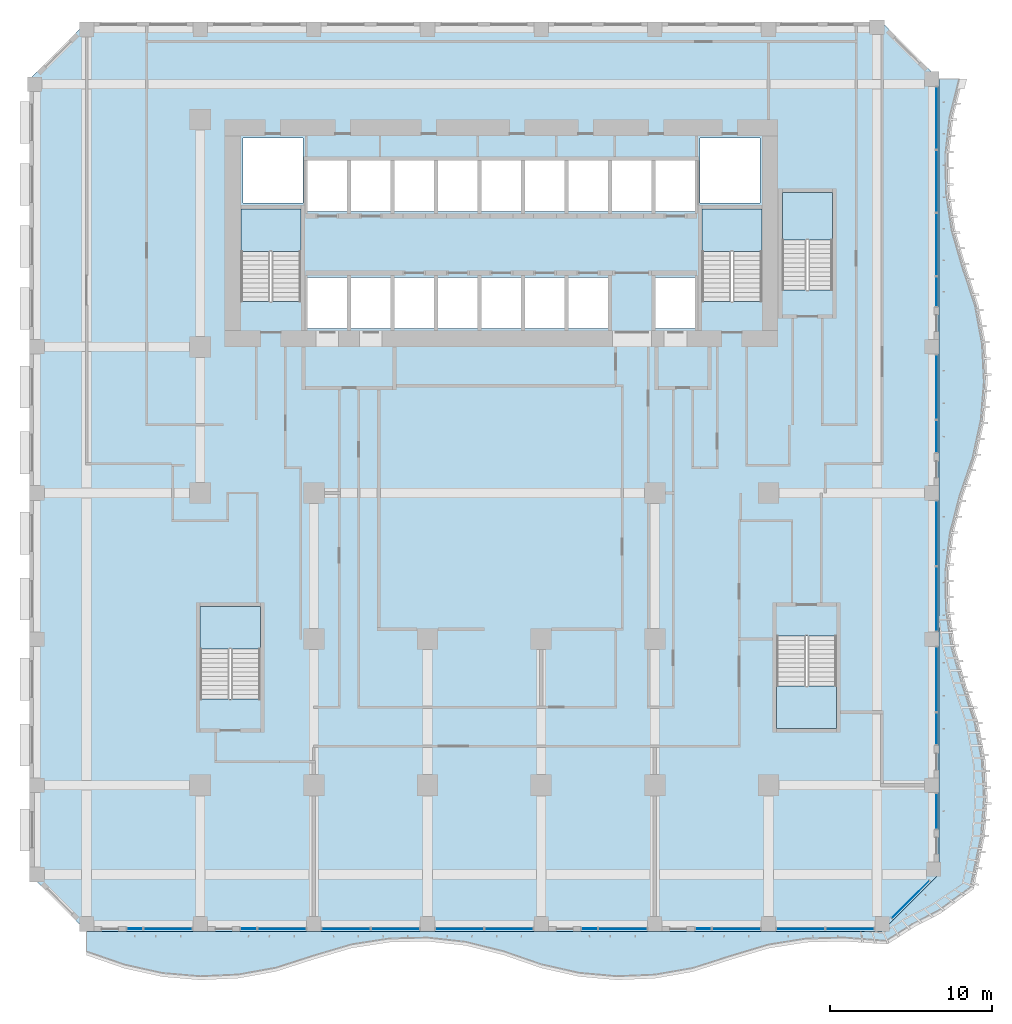
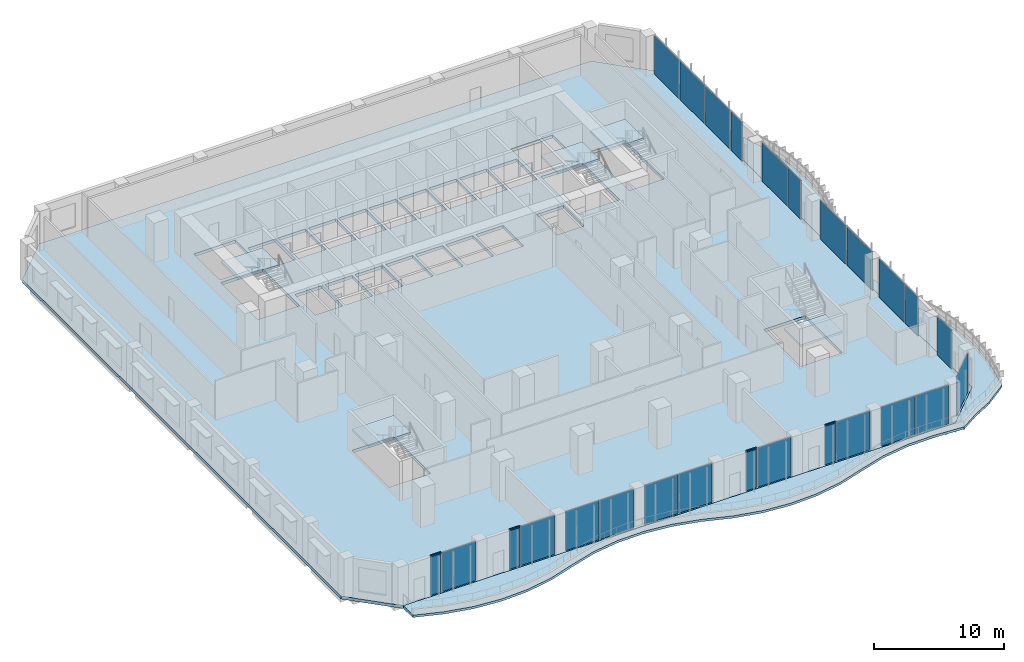
# One storey, part 9 of 27: 26 plates, 7 slabs, 4 members, 31 elements without a shape of their own.
"""IFC4 building model written with IfcOpenShell, lengths in metres."""

from ifc_helpers import new_model, si_unit, direction, frame, origin, origin_2d, place, context, subcontext, project, spatial, polyline, rectangle, outline, extrude, source, transform, mapped, material, layer, layer_set, material_profile, profile_set, type_object, element, aggregate, save


model = new_model("IFC4")

# Units and contexts
model_context = context("Model", 3, precision=1e-05, world=origin(), true_north=direction((0.0, 1.0)))
body_context = subcontext(model_context, "Body", "Model", "MODEL_VIEW")
ifc_project = project(units=[si_unit("LENGTHUNIT", "METRE"), si_unit("AREAUNIT", "SQUARE_METRE"), si_unit("VOLUMEUNIT", "CUBIC_METRE"), si_unit("PLANEANGLEUNIT", "RADIAN"), si_unit("MASSUNIT", "GRAM", prefix="KILO")], contexts=[model_context])

# Site, building, storey
site_placement = place(None, origin())
site = spatial("IfcSite", under=ifc_project, at=site_placement, CompositionType="ELEMENT")
building_placement = place(site_placement, origin())
building = spatial("IfcBuilding", under=site, at=building_placement, Name="Kilnfold Tower and Market Hall", CompositionType="ELEMENT")
storey_placement = place(building_placement, frame((0.0, 0.0, 47.0)))
storey = spatial("IfcBuildingStorey", under=building, at=storey_placement, Name="L10", CompositionType="ELEMENT", Elevation=47.0)

# Curtain wall, member
ifc_material_1 = material(Name="Aluminium and double glazing", Category="aluminium")
curtain_wall_type = type_object("IfcCurtainWallType", Name="CW OF1 VALLEY GLAZING", PredefinedType="NOTDEFINED", material=ifc_material_1)
curtain_wall_1_placement = place(storey_placement, origin())
curtain_wall_1 = element("IfcCurtainWall", 1, at=curtain_wall_1_placement, inside=storey, type_object=curtain_wall_type, Name="Curtain wall CW1 L10 S", PredefinedType="NOTDEFINED")
ifc_material_2 = material(Name="Aluminium", Category="aluminium")
ifc_material_profile = material_profile(ifc_material_2, rectangle(XDim=0.06005859375, YDim=0.139892578125, at=origin_2d()), Name="TRANSOM 60x140")
ifc_profile_set = profile_set([ifc_material_profile], Name="Aluminium")
member_type = type_object("IfcMemberType", Name="TRANSOM 60X140", PredefinedType="USERDEFINED", material=ifc_profile_set)
shared_shape_1 = source(origin(), body_context, "Body", "SweptSolid", [
    extrude(rectangle(XDim=0.06005859375, YDim=0.139892578125, at=origin_2d()), origin(), (0.0, 0.0, 1.0), 0.929931640625),
])
member_1_placement = place(storey_placement, frame((-21.989990234375, -27.85009765625, 3.68994140625), z_axis=(1.0, 0.0, 0.0), x_axis=(0.0, 1.0, 0.0)))
member_1 = element("IfcMember", 2, at=member_1_placement, type_object=member_type, Name="CW1 transom 1.2", ObjectType="TRANSOM", PredefinedType="USERDEFINED", context=body_context, shape_type="MappedRepresentation", body=[
    mapped(shared_shape_1, transform((0.0, 0.0, 0.0))),
])

curtain_wall_2_placement = place(storey_placement, origin())
curtain_wall_2 = element("IfcCurtainWall", 3, at=curtain_wall_2_placement, inside=storey, type_object=curtain_wall_type, Name="Curtain wall CW1 L10 S", PredefinedType="NOTDEFINED")
member_2_placement = place(storey_placement, frame((-14.989990234375, -27.85009765625, 3.68994140625), z_axis=(1.0, 0.0, 0.0), x_axis=(0.0, 1.0, 0.0)))
member_2 = element("IfcMember", 4, at=member_2_placement, type_object=member_type, Name="CW1 transom 1.2", ObjectType="TRANSOM", PredefinedType="USERDEFINED", context=body_context, shape_type="MappedRepresentation", body=[
    mapped(shared_shape_1, transform((0.0, 0.0, 0.0))),
])

curtain_wall_3_placement = place(storey_placement, origin())
curtain_wall_3 = element("IfcCurtainWall", 5, at=curtain_wall_3_placement, inside=storey, type_object=curtain_wall_type, Name="Curtain wall CW1 L10 S", PredefinedType="NOTDEFINED")
member_3_placement = place(storey_placement, frame((6.010009765625, -27.85009765625, 3.68994140625), z_axis=(1.0, 0.0, 0.0), x_axis=(0.0, 1.0, 0.0)))
member_3 = element("IfcMember", 6, at=member_3_placement, type_object=member_type, Name="CW1 transom 1.2", ObjectType="TRANSOM", PredefinedType="USERDEFINED", context=body_context, shape_type="MappedRepresentation", body=[
    mapped(shared_shape_1, transform((0.0, 0.0, 0.0))),
])

curtain_wall_4_placement = place(storey_placement, origin())
curtain_wall_4 = element("IfcCurtainWall", 7, at=curtain_wall_4_placement, inside=storey, type_object=curtain_wall_type, Name="Curtain wall CW1 L10 S", PredefinedType="NOTDEFINED")
member_4_placement = place(storey_placement, frame((13.010009765625, -27.85009765625, 3.68994140625), z_axis=(1.0, 0.0, 0.0), x_axis=(0.0, 1.0, 0.0)))
member_4 = element("IfcMember", 8, at=member_4_placement, type_object=member_type, Name="CW1 transom 1.2", ObjectType="TRANSOM", PredefinedType="USERDEFINED", context=body_context, shape_type="MappedRepresentation", body=[
    mapped(shared_shape_1, transform((0.0, 0.0, 0.0))),
])

# Slab
ifc_material_3 = material(Name="Concrete C45", Category="concrete")
ifc_layer_1 = layer(ifc_material_3, 0.280029296875)
ifc_layer_set_1 = layer_set([ifc_layer_1], Name="Concrete C45")
slab_type_1 = type_object("IfcSlabType", Name="FLOOR SLAB 280", PredefinedType="FLOOR", material=ifc_layer_set_1)
shared_shape_2 = source(origin(), body_context, "Body", "SweptSolid", [
    extrude(outline(polyline([(-24.5, -28.0), (24.5, -28.0), (28.0, -24.5), (28.0, 24.5), (24.5, 28.0), (-24.5, 28.0), (-28.0, 24.5), (-28.0, -24.5), (-24.5, -28.0)]), holes=[polyline([(-13.800537109375, -13.699462890625), (-17.49951171875, -13.699462890625), (-17.49951171875, -8.00048828125), (-13.800537109375, -8.00048828125), (-13.800537109375, -13.699462890625)]), polyline([(-14.99951171875, 10.800537109375), (-14.99951171875, 16.49951171875), (-11.300537109375, 16.49951171875), (-11.300537109375, 10.800537109375), (-14.99951171875, 10.800537109375)]), polyline([(-14.875, 16.875), (-14.875, 20.875), (-11.175048828125, 20.875), (-11.175048828125, 16.875), (-14.875, 16.875)]), polyline([(-10.885009765625, 9.125), (-10.885009765625, 12.27490234375), (-8.455078125, 12.27490234375), (-8.455078125, 9.125), (-10.885009765625, 9.125)]), polyline([(-8.455078125, 16.324951171875), (-10.885009765625, 16.324951171875), (-10.885009765625, 19.47509765625), (-8.455078125, 19.47509765625), (-8.455078125, 16.324951171875)]), polyline([(-8.205078125, 9.125), (-8.205078125, 12.27490234375), (-5.77490234375, 12.27490234375), (-5.77490234375, 9.125), (-8.205078125, 9.125)]), polyline([(-8.205078125, 16.324951171875), (-8.205078125, 19.47509765625), (-5.77490234375, 19.47509765625), (-5.77490234375, 16.324951171875), (-8.205078125, 16.324951171875)]), polyline([(-3.094970703125, 9.125), (-5.52490234375, 9.125), (-5.52490234375, 12.27490234375), (-3.094970703125, 12.27490234375), (-3.094970703125, 9.125)]), polyline([(-5.52490234375, 16.324951171875), (-5.52490234375, 19.47509765625), (-3.094970703125, 19.47509765625), (-3.094970703125, 16.324951171875), (-5.52490234375, 16.324951171875)]), polyline([(-2.844970703125, 9.125), (-2.844970703125, 12.27490234375), (-0.4150390625, 12.27490234375), (-0.4150390625, 9.125), (-2.844970703125, 9.125)]), polyline([(-0.4150390625, 16.324951171875), (-2.844970703125, 16.324951171875), (-2.844970703125, 19.47509765625), (-0.4150390625, 19.47509765625), (-0.4150390625, 16.324951171875)]), polyline([(-0.1650390625, 9.125), (-0.1650390625, 12.27490234375), (2.264892578125, 12.27490234375), (2.264892578125, 9.125), (-0.1650390625, 9.125)]), polyline([(-0.1650390625, 16.324951171875), (-0.1650390625, 19.47509765625), (2.264892578125, 19.47509765625), (2.264892578125, 16.324951171875), (-0.1650390625, 16.324951171875)]), polyline([(2.514892578125, 9.125), (2.514892578125, 12.27490234375), (4.945068359375, 12.27490234375), (4.945068359375, 9.125), (2.514892578125, 9.125)]), polyline([(2.514892578125, 16.324951171875), (2.514892578125, 19.47509765625), (4.945068359375, 19.47509765625), (4.945068359375, 16.324951171875), (2.514892578125, 16.324951171875)]), polyline([(7.625, 9.125), (5.195068359375, 9.125), (5.195068359375, 12.27490234375), (7.625, 12.27490234375), (7.625, 9.125)]), polyline([(5.195068359375, 16.324951171875), (5.195068359375, 19.47509765625), (7.625, 19.47509765625), (7.625, 16.324951171875), (5.195068359375, 16.324951171875)]), polyline([(10.304931640625, 16.324951171875), (7.875, 16.324951171875), (7.875, 19.47509765625), (10.304931640625, 19.47509765625), (10.304931640625, 16.324951171875)]), polyline([(10.554931640625, 9.125), (10.554931640625, 12.27490234375), (12.985107421875, 12.27490234375), (12.985107421875, 9.125), (10.554931640625, 9.125)]), polyline([(10.554931640625, 16.324951171875), (10.554931640625, 19.47509765625), (12.985107421875, 19.47509765625), (12.985107421875, 16.324951171875), (10.554931640625, 16.324951171875)]), polyline([(13.27490234375, 16.875), (13.27490234375, 20.875), (16.97509765625, 20.875), (16.97509765625, 16.875), (13.27490234375, 16.875)]), polyline([(13.400390625, 10.800537109375), (13.400390625, 16.49951171875), (17.099609375, 16.49951171875), (17.099609375, 10.800537109375), (13.400390625, 10.800537109375)]), polyline([(18.00048828125, -9.800537109375), (21.699462890625, -9.800537109375), (21.699462890625, -15.49951171875), (18.00048828125, -15.49951171875), (18.00048828125, -9.800537109375)]), polyline([(21.449462890625, 11.50048828125), (18.3505859375, 11.50048828125), (18.3505859375, 17.49951171875), (21.449462890625, 17.49951171875), (21.449462890625, 11.50048828125)])]), origin(), (0.0, 0.0, 1.0), 0.280029296875),
])
slab_1_placement = place(storey_placement, frame((0.0, 0.0, -0.280029296875)))
element("IfcSlab", 9, at=slab_1_placement, inside=storey, type_object=slab_type_1, Name="Floor slab L10", PredefinedType="FLOOR", context=body_context, shape_type="MappedRepresentation", body=[
    mapped(shared_shape_2, transform((0.0, 0.0, 0.0))),
])

# Plate
ifc_material_4 = material(Name="Double glazed unit")
ifc_layer_2 = layer(ifc_material_4, 0.031982421875)
ifc_layer_set_2 = layer_set([ifc_layer_2], Name="Double glazed unit")
plate_type = type_object("IfcPlateType", Name="GLAZING PANEL 32", PredefinedType="CURTAIN_PANEL", material=ifc_layer_set_2)
shared_shape_3 = source(origin(), body_context, "Body", "SweptSolid", [
    extrude(rectangle(XDim=0.929931640625, YDim=0.031982421875, at=origin_2d()), origin(), (0.0, 0.0, 1.0), 3.659912109375),
])
plate_1_placement = place(storey_placement, frame((-21.52490234375, -27.85009765625, 0.0), z_axis=(0.0, 0.0, 1.0), x_axis=(1.0, 0.0, 0.0)))
plate_1 = element("IfcPlate", 10, at=plate_1_placement, type_object=plate_type, Name="CW1 panel 1.1", PredefinedType="CURTAIN_PANEL", context=body_context, shape_type="MappedRepresentation", body=[
    mapped(shared_shape_3, transform((0.0, 0.0, 0.0))),
])

aggregate(curtain_wall_1, [member_1, plate_1])

plate_2_placement = place(storey_placement, frame((-14.52490234375, -27.85009765625, 0.0), z_axis=(0.0, 0.0, 1.0), x_axis=(1.0, 0.0, 0.0)))
plate_2 = element("IfcPlate", 11, at=plate_2_placement, type_object=plate_type, Name="CW1 panel 1.1", PredefinedType="CURTAIN_PANEL", context=body_context, shape_type="MappedRepresentation", body=[
    mapped(shared_shape_3, transform((0.0, 0.0, 0.0))),
])

aggregate(curtain_wall_2, [member_2, plate_2])

plate_3_placement = place(storey_placement, frame((6.47509765625, -27.85009765625, 0.0), z_axis=(0.0, 0.0, 1.0), x_axis=(1.0, 0.0, 0.0)))
plate_3 = element("IfcPlate", 12, at=plate_3_placement, type_object=plate_type, Name="CW1 panel 1.1", PredefinedType="CURTAIN_PANEL", context=body_context, shape_type="MappedRepresentation", body=[
    mapped(shared_shape_3, transform((0.0, 0.0, 0.0))),
])

aggregate(curtain_wall_3, [member_3, plate_3])

plate_4_placement = place(storey_placement, frame((13.47509765625, -27.85009765625, 0.0), z_axis=(0.0, 0.0, 1.0), x_axis=(1.0, 0.0, 0.0)))
plate_4 = element("IfcPlate", 13, at=plate_4_placement, type_object=plate_type, Name="CW1 panel 1.1", PredefinedType="CURTAIN_PANEL", context=body_context, shape_type="MappedRepresentation", body=[
    mapped(shared_shape_3, transform((0.0, 0.0, 0.0))),
])

aggregate(curtain_wall_4, [member_4, plate_4])

# Curtain wall, plate
curtain_wall_5_placement = place(storey_placement, origin())
curtain_wall_5 = element("IfcCurtainWall", 14, at=curtain_wall_5_placement, inside=storey, type_object=curtain_wall_type, Name="Curtain wall CW1 L10 S", PredefinedType="NOTDEFINED")
shared_shape_4 = source(origin(), body_context, "Body", "SweptSolid", [
    extrude(rectangle(XDim=2.929931640625, YDim=0.031982421875, at=origin_2d()), origin(), (0.0, 0.0, 1.0), 3.659912109375),
])
plate_5_placement = place(storey_placement, frame((-19.47509765625, -27.85009765625, 0.0), z_axis=(0.0, 0.0, 1.0), x_axis=(1.0, 0.0, 0.0)))
plate_5 = element("IfcPlate", 15, at=plate_5_placement, type_object=plate_type, Name="CW1 panel 1.1", PredefinedType="CURTAIN_PANEL", context=body_context, shape_type="MappedRepresentation", body=[
    mapped(shared_shape_4, transform((0.0, 0.0, 0.0))),
])
aggregate(curtain_wall_5, [plate_5])

curtain_wall_6_placement = place(storey_placement, origin())
curtain_wall_6 = element("IfcCurtainWall", 16, at=curtain_wall_6_placement, inside=storey, type_object=curtain_wall_type, Name="Curtain wall CW1 L10 S", PredefinedType="NOTDEFINED")
plate_6_placement = place(storey_placement, frame((-12.47509765625, -27.85009765625, 0.0), z_axis=(0.0, 0.0, 1.0), x_axis=(1.0, 0.0, 0.0)))
plate_6 = element("IfcPlate", 17, at=plate_6_placement, type_object=plate_type, Name="CW1 panel 1.1", PredefinedType="CURTAIN_PANEL", context=body_context, shape_type="MappedRepresentation", body=[
    mapped(shared_shape_4, transform((0.0, 0.0, 0.0))),
])
aggregate(curtain_wall_6, [plate_6])

curtain_wall_7_placement = place(storey_placement, origin())
curtain_wall_7 = element("IfcCurtainWall", 18, at=curtain_wall_7_placement, inside=storey, type_object=curtain_wall_type, Name="Curtain wall CW1 L10 S", PredefinedType="NOTDEFINED")
plate_7_placement = place(storey_placement, frame((-8.52490234375, -27.85009765625, 0.0), z_axis=(0.0, 0.0, 1.0), x_axis=(1.0, 0.0, 0.0)))
plate_7 = element("IfcPlate", 19, at=plate_7_placement, type_object=plate_type, Name="CW1 panel 1.1", PredefinedType="CURTAIN_PANEL", context=body_context, shape_type="MappedRepresentation", body=[
    mapped(shared_shape_4, transform((0.0, 0.0, 0.0))),
])
aggregate(curtain_wall_7, [plate_7])

curtain_wall_8_placement = place(storey_placement, origin())
curtain_wall_8 = element("IfcCurtainWall", 20, at=curtain_wall_8_placement, inside=storey, type_object=curtain_wall_type, Name="Curtain wall CW1 L10 S", PredefinedType="NOTDEFINED")
plate_8_placement = place(storey_placement, frame((-5.47509765625, -27.85009765625, 0.0), z_axis=(0.0, 0.0, 1.0), x_axis=(1.0, 0.0, 0.0)))
plate_8 = element("IfcPlate", 21, at=plate_8_placement, type_object=plate_type, Name="CW1 panel 1.1", PredefinedType="CURTAIN_PANEL", context=body_context, shape_type="MappedRepresentation", body=[
    mapped(shared_shape_4, transform((0.0, 0.0, 0.0))),
])
aggregate(curtain_wall_8, [plate_8])

curtain_wall_9_placement = place(storey_placement, origin())
curtain_wall_9 = element("IfcCurtainWall", 22, at=curtain_wall_9_placement, inside=storey, type_object=curtain_wall_type, Name="Curtain wall CW1 L10 S", PredefinedType="NOTDEFINED")
plate_9_placement = place(storey_placement, frame((-1.52490234375, -27.85009765625, 0.0), z_axis=(0.0, 0.0, 1.0), x_axis=(1.0, 0.0, 0.0)))
plate_9 = element("IfcPlate", 23, at=plate_9_placement, type_object=plate_type, Name="CW1 panel 1.1", PredefinedType="CURTAIN_PANEL", context=body_context, shape_type="MappedRepresentation", body=[
    mapped(shared_shape_4, transform((0.0, 0.0, 0.0))),
])
aggregate(curtain_wall_9, [plate_9])

curtain_wall_10_placement = place(storey_placement, origin())
curtain_wall_10 = element("IfcCurtainWall", 24, at=curtain_wall_10_placement, inside=storey, type_object=curtain_wall_type, Name="Curtain wall CW1 L10 S", PredefinedType="NOTDEFINED")
plate_10_placement = place(storey_placement, frame((1.52490234375, -27.85009765625, 0.0), z_axis=(0.0, 0.0, 1.0), x_axis=(1.0, 0.0, 0.0)))
plate_10 = element("IfcPlate", 25, at=plate_10_placement, type_object=plate_type, Name="CW1 panel 1.1", PredefinedType="CURTAIN_PANEL", context=body_context, shape_type="MappedRepresentation", body=[
    mapped(shared_shape_4, transform((0.0, 0.0, 0.0))),
])
aggregate(curtain_wall_10, [plate_10])

curtain_wall_11_placement = place(storey_placement, origin())
curtain_wall_11 = element("IfcCurtainWall", 26, at=curtain_wall_11_placement, inside=storey, type_object=curtain_wall_type, Name="Curtain wall CW1 L10 S", PredefinedType="NOTDEFINED")
plate_11_placement = place(storey_placement, frame((8.52490234375, -27.85009765625, 0.0), z_axis=(0.0, 0.0, 1.0), x_axis=(1.0, 0.0, 0.0)))
plate_11 = element("IfcPlate", 27, at=plate_11_placement, type_object=plate_type, Name="CW1 panel 1.1", PredefinedType="CURTAIN_PANEL", context=body_context, shape_type="MappedRepresentation", body=[
    mapped(shared_shape_4, transform((0.0, 0.0, 0.0))),
])
aggregate(curtain_wall_11, [plate_11])

curtain_wall_12_placement = place(storey_placement, origin())
curtain_wall_12 = element("IfcCurtainWall", 28, at=curtain_wall_12_placement, inside=storey, type_object=curtain_wall_type, Name="Curtain wall CW1 L10 S", PredefinedType="NOTDEFINED")
plate_12_placement = place(storey_placement, frame((15.52490234375, -27.85009765625, 0.0), z_axis=(0.0, 0.0, 1.0), x_axis=(1.0, 0.0, 0.0)))
plate_12 = element("IfcPlate", 29, at=plate_12_placement, type_object=plate_type, Name="CW1 panel 1.1", PredefinedType="CURTAIN_PANEL", context=body_context, shape_type="MappedRepresentation", body=[
    mapped(shared_shape_4, transform((0.0, 0.0, 0.0))),
])
aggregate(curtain_wall_12, [plate_12])

curtain_wall_13_placement = place(storey_placement, origin())
curtain_wall_13 = element("IfcCurtainWall", 30, at=curtain_wall_13_placement, inside=storey, type_object=curtain_wall_type, Name="Curtain wall CW1 L10 S", PredefinedType="NOTDEFINED")
plate_13_placement = place(storey_placement, frame((19.47509765625, -27.85009765625, 0.0), z_axis=(0.0, 0.0, 1.0), x_axis=(1.0, 0.0, 0.0)))
plate_13 = element("IfcPlate", 31, at=plate_13_placement, type_object=plate_type, Name="CW1 panel 1.1", PredefinedType="CURTAIN_PANEL", context=body_context, shape_type="MappedRepresentation", body=[
    mapped(shared_shape_4, transform((0.0, 0.0, 0.0))),
])
aggregate(curtain_wall_13, [plate_13])

curtain_wall_14_placement = place(storey_placement, origin())
curtain_wall_14 = element("IfcCurtainWall", 32, at=curtain_wall_14_placement, inside=storey, type_object=curtain_wall_type, Name="Curtain wall CW1 L10 S", PredefinedType="NOTDEFINED")
plate_14_placement = place(storey_placement, frame((22.52490234375, -27.85009765625, 0.0), z_axis=(0.0, 0.0, 1.0), x_axis=(1.0, 0.0, 0.0)))
plate_14 = element("IfcPlate", 33, at=plate_14_placement, type_object=plate_type, Name="CW1 panel 1.1", PredefinedType="CURTAIN_PANEL", context=body_context, shape_type="MappedRepresentation", body=[
    mapped(shared_shape_4, transform((0.0, 0.0, 0.0))),
])
aggregate(curtain_wall_14, [plate_14])

curtain_wall_15_placement = place(storey_placement, origin())
curtain_wall_15 = element("IfcCurtainWall", 34, at=curtain_wall_15_placement, inside=storey, type_object=curtain_wall_type, Name="Curtain wall CW1 L10 E", PredefinedType="NOTDEFINED")
shared_shape_5 = source(origin(), body_context, "Body", "SweptSolid", [
    extrude(rectangle(XDim=2.161865234375, YDim=0.031982421875, at=origin_2d()), origin(), (0.0, 0.0, 1.0), 3.659912109375),
])
plate_15_placement = place(storey_placement, frame((27.85009765625, -20.5908203125, 0.0), z_axis=(0.0, 0.0, 1.0), x_axis=(0.0, 1.0, 0.0)))
plate_15 = element("IfcPlate", 35, at=plate_15_placement, type_object=plate_type, Name="CW1 panel 1.1", PredefinedType="CURTAIN_PANEL", context=body_context, shape_type="MappedRepresentation", body=[
    mapped(shared_shape_5, transform((0.0, 0.0, 0.0))),
])
aggregate(curtain_wall_15, [plate_15])

curtain_wall_16_placement = place(storey_placement, origin())
curtain_wall_16 = element("IfcCurtainWall", 36, at=curtain_wall_16_placement, inside=storey, type_object=curtain_wall_type, Name="Curtain wall CW1 L10 E", PredefinedType="NOTDEFINED")
shared_shape_6 = source(origin(), body_context, "Body", "SweptSolid", [
    extrude(rectangle(XDim=3.929931640625, YDim=0.031982421875, at=origin_2d()), origin(), (0.0, 0.0, 1.0), 3.659912109375),
])
plate_16_placement = place(storey_placement, frame((27.85009765625, -12.47509765625, 0.0), z_axis=(0.0, 0.0, 1.0), x_axis=(0.0, 1.0, 0.0)))
plate_16 = element("IfcPlate", 37, at=plate_16_placement, type_object=plate_type, Name="CW1 panel 1.1", PredefinedType="CURTAIN_PANEL", context=body_context, shape_type="MappedRepresentation", body=[
    mapped(shared_shape_6, transform((0.0, 0.0, 0.0))),
])
aggregate(curtain_wall_16, [plate_16])

curtain_wall_17_placement = place(storey_placement, origin())
curtain_wall_17 = element("IfcCurtainWall", 38, at=curtain_wall_17_placement, inside=storey, type_object=curtain_wall_type, Name="Curtain wall CW1 L10 E", PredefinedType="NOTDEFINED")
plate_17_placement = place(storey_placement, frame((27.85009765625, -7.52490234375, 0.0), z_axis=(0.0, 0.0, 1.0), x_axis=(0.0, 1.0, 0.0)))
plate_17 = element("IfcPlate", 39, at=plate_17_placement, type_object=plate_type, Name="CW1 panel 1.1", PredefinedType="CURTAIN_PANEL", context=body_context, shape_type="MappedRepresentation", body=[
    mapped(shared_shape_6, transform((0.0, 0.0, 0.0))),
])
aggregate(curtain_wall_17, [plate_17])

curtain_wall_18_placement = place(storey_placement, origin())
curtain_wall_18 = element("IfcCurtainWall", 40, at=curtain_wall_18_placement, inside=storey, type_object=curtain_wall_type, Name="Curtain wall CW1 L10 E", PredefinedType="NOTDEFINED")
plate_18_placement = place(storey_placement, frame((27.85009765625, -3.47509765625, 0.0), z_axis=(0.0, 0.0, 1.0), x_axis=(0.0, 1.0, 0.0)))
plate_18 = element("IfcPlate", 41, at=plate_18_placement, type_object=plate_type, Name="CW1 panel 1.1", PredefinedType="CURTAIN_PANEL", context=body_context, shape_type="MappedRepresentation", body=[
    mapped(shared_shape_6, transform((0.0, 0.0, 0.0))),
])
aggregate(curtain_wall_18, [plate_18])

curtain_wall_19_placement = place(storey_placement, origin())
curtain_wall_19 = element("IfcCurtainWall", 42, at=curtain_wall_19_placement, inside=storey, type_object=curtain_wall_type, Name="Curtain wall CW1 L10 E", PredefinedType="NOTDEFINED")
plate_19_placement = place(storey_placement, frame((27.85009765625, 5.52490234375, 0.0), z_axis=(0.0, 0.0, 1.0), x_axis=(0.0, 1.0, 0.0)))
plate_19 = element("IfcPlate", 43, at=plate_19_placement, type_object=plate_type, Name="CW1 panel 1.1", PredefinedType="CURTAIN_PANEL", context=body_context, shape_type="MappedRepresentation", body=[
    mapped(shared_shape_6, transform((0.0, 0.0, 0.0))),
])
aggregate(curtain_wall_19, [plate_19])

curtain_wall_20_placement = place(storey_placement, origin())
curtain_wall_20 = element("IfcCurtainWall", 44, at=curtain_wall_20_placement, inside=storey, type_object=curtain_wall_type, Name="Curtain wall CW1 L10 E", PredefinedType="NOTDEFINED")
shared_shape_7 = source(origin(), body_context, "Body", "SweptSolid", [
    extrude(rectangle(XDim=1.929931640625, YDim=0.031982421875, at=origin_2d()), origin(), (0.0, 0.0, 1.0), 3.659912109375),
])
plate_20_placement = place(storey_placement, frame((27.85009765625, -15.52490234375, 0.0), z_axis=(0.0, 0.0, 1.0), x_axis=(0.0, 1.0, 0.0)))
plate_20 = element("IfcPlate", 45, at=plate_20_placement, type_object=plate_type, Name="CW1 panel 1.1", PredefinedType="CURTAIN_PANEL", context=body_context, shape_type="MappedRepresentation", body=[
    mapped(shared_shape_7, transform((0.0, 0.0, 0.0))),
])
aggregate(curtain_wall_20, [plate_20])

curtain_wall_21_placement = place(storey_placement, origin())
curtain_wall_21 = element("IfcCurtainWall", 46, at=curtain_wall_21_placement, inside=storey, type_object=curtain_wall_type, Name="Curtain wall CW1 L10 E", PredefinedType="NOTDEFINED")
plate_21_placement = place(storey_placement, frame((27.85009765625, 2.47509765625, 0.0), z_axis=(0.0, 0.0, 1.0), x_axis=(0.0, 1.0, 0.0)))
plate_21 = element("IfcPlate", 47, at=plate_21_placement, type_object=plate_type, Name="CW1 panel 1.1", PredefinedType="CURTAIN_PANEL", context=body_context, shape_type="MappedRepresentation", body=[
    mapped(shared_shape_7, transform((0.0, 0.0, 0.0))),
])
aggregate(curtain_wall_21, [plate_21])

curtain_wall_22_placement = place(storey_placement, origin())
curtain_wall_22 = element("IfcCurtainWall", 48, at=curtain_wall_22_placement, inside=storey, type_object=curtain_wall_type, Name="Curtain wall CW1 L10 E", PredefinedType="NOTDEFINED")
shared_shape_8 = source(origin(), body_context, "Body", "SweptSolid", [
    extrude(rectangle(XDim=3.780029296875, YDim=0.031982421875, at=origin_2d()), origin(), (0.0, 0.0, 1.0), 3.659912109375),
])
plate_22_placement = place(storey_placement, frame((27.85009765625, 14.300048828125, 0.0), z_axis=(0.0, 0.0, 1.0), x_axis=(0.0, 1.0, 0.0)))
plate_22 = element("IfcPlate", 49, at=plate_22_placement, type_object=plate_type, Name="CW1 panel 1.1", PredefinedType="CURTAIN_PANEL", context=body_context, shape_type="MappedRepresentation", body=[
    mapped(shared_shape_8, transform((0.0, 0.0, 0.0))),
])
aggregate(curtain_wall_22, [plate_22])

curtain_wall_23_placement = place(storey_placement, origin())
curtain_wall_23 = element("IfcCurtainWall", 50, at=curtain_wall_23_placement, inside=storey, type_object=curtain_wall_type, Name="Curtain wall CW1 L10 E", PredefinedType="NOTDEFINED")
plate_23_placement = place(storey_placement, frame((27.85009765625, 18.199951171875, 0.0), z_axis=(0.0, 0.0, 1.0), x_axis=(0.0, 1.0, 0.0)))
plate_23 = element("IfcPlate", 51, at=plate_23_placement, type_object=plate_type, Name="CW1 panel 1.1", PredefinedType="CURTAIN_PANEL", context=body_context, shape_type="MappedRepresentation", body=[
    mapped(shared_shape_8, transform((0.0, 0.0, 0.0))),
])
aggregate(curtain_wall_23, [plate_23])

curtain_wall_24_placement = place(storey_placement, origin())
curtain_wall_24 = element("IfcCurtainWall", 52, at=curtain_wall_24_placement, inside=storey, type_object=curtain_wall_type, Name="Curtain wall CW1 L10 E", PredefinedType="NOTDEFINED")
plate_24_placement = place(storey_placement, frame((27.85009765625, 22.10009765625, 0.0), z_axis=(0.0, 0.0, 1.0), x_axis=(0.0, 1.0, 0.0)))
plate_24 = element("IfcPlate", 53, at=plate_24_placement, type_object=plate_type, Name="CW1 panel 1.1", PredefinedType="CURTAIN_PANEL", context=body_context, shape_type="MappedRepresentation", body=[
    mapped(shared_shape_8, transform((0.0, 0.0, 0.0))),
])
aggregate(curtain_wall_24, [plate_24])

curtain_wall_25_placement = place(storey_placement, origin())
curtain_wall_25 = element("IfcCurtainWall", 54, at=curtain_wall_25_placement, inside=storey, type_object=curtain_wall_type, Name="Curtain wall CW1 L10 E", PredefinedType="NOTDEFINED")
shared_shape_9 = source(origin(), body_context, "Body", "SweptSolid", [
    extrude(rectangle(XDim=1.780029296875, YDim=0.031982421875, at=origin_2d()), origin(), (0.0, 0.0, 1.0), 3.659912109375),
])
plate_25_placement = place(storey_placement, frame((27.85009765625, 11.39990234375, 0.0), z_axis=(0.0, 0.0, 1.0), x_axis=(0.0, 1.0, 0.0)))
plate_25 = element("IfcPlate", 55, at=plate_25_placement, type_object=plate_type, Name="CW1 panel 1.1", PredefinedType="CURTAIN_PANEL", context=body_context, shape_type="MappedRepresentation", body=[
    mapped(shared_shape_9, transform((0.0, 0.0, 0.0))),
])
aggregate(curtain_wall_25, [plate_25])

curtain_wall_26_placement = place(storey_placement, origin())
curtain_wall_26 = element("IfcCurtainWall", 56, at=curtain_wall_26_placement, inside=storey, type_object=curtain_wall_type, Name="Curtain wall CW1 L10 SE", PredefinedType="NOTDEFINED")
shared_shape_10 = source(origin(), body_context, "Body", "SweptSolid", [
    extrude(rectangle(XDim=3.23876953125, YDim=0.031982421875, at=origin_2d()), origin(), (0.0, 0.0, 1.0), 3.659912109375),
])
plate_26_placement = place(storey_placement, frame((26.25634765625, -26.031494140625, 0.0), z_axis=(0.0, 0.0, 1.0), x_axis=(0.707121667181, 0.707091894879, 0.0)))
plate_26 = element("IfcPlate", 57, at=plate_26_placement, type_object=plate_type, Name="CW1 panel 1.1", PredefinedType="CURTAIN_PANEL", context=body_context, shape_type="MappedRepresentation", body=[
    mapped(shared_shape_10, transform((0.0, 0.0, 0.0))),
])
aggregate(curtain_wall_26, [plate_26])

# Slab
ifc_material_5 = material(Name="Concrete C40/50", Category="concrete")
ifc_layer_3 = layer(ifc_material_5, 0.219970703125)
ifc_layer_set_3 = layer_set([ifc_layer_3], Name="Concrete C40/50")
slab_type_2 = type_object("IfcSlabType", Name="BALCONY SLAB 220", PredefinedType="FLOOR", material=ifc_layer_set_3)
shared_shape_11 = source(origin(), body_context, "Body", "SweptSolid", [
    extrude(outline(polyline([(-24.5, -28.0), (24.5, -28.0), (28.0, -24.5), (28.0, 24.5), (29.473388671875, 24.5), (28.885986328125, 22.166748046875), (28.6201171875, 19.833251953125), (28.661865234375, 17.5), (29.01318359375, 15.166748046875), (29.693359375, 12.833251953125), (30.453369140625, 10.5), (30.8818359375, 8.166748046875), (30.997802734375, 5.833251953125), (30.807373046875, 3.5), (30.300048828125, 1.166748046875), (29.49658203125, -1.166748046875), (28.898681640625, -3.5), (28.623779296875, -5.833251953125), (28.656005859375, -8.166748046875), (28.997802734375, -10.5), (29.66748046875, -12.833251953125), (30.435302734375, -15.166748046875), (30.87353515625, -17.5), (30.998779296875, -19.833251953125), (30.817626953125, -22.166748046875), (30.143798828125, -25.387939453125), (28.08056640625, -26.9140625), (26.534423828125, -27.701171875), (24.829345703125, -28.79541015625), (22.166748046875, -28.614013671875), (19.833251953125, -28.67431640625), (17.5, -29.044677734375), (15.166748046875, -29.74609375), (12.833251953125, -30.488525390625), (10.5, -30.897705078125), (8.166748046875, -30.9951171875), (5.833251953125, -30.78564453125), (3.5, -30.258544921875), (1.166748046875, -29.450439453125), (-1.166748046875, -28.873291015625), (-3.5, -28.616943359375), (-5.833251953125, -28.66796875), (-8.166748046875, -29.02880859375), (-10.5, -29.719482421875), (-12.833251953125, -30.47119140625), (-15.166748046875, -30.889892578125), (-17.5, -30.99658203125), (-19.833251953125, -30.796630859375), (-22.166748046875, -30.279541015625), (-24.5, -29.473388671875), (-24.5, -28.0)])), origin(), (0.0, 0.0, 1.0), 0.219970703125),
])
slab_2_placement = place(storey_placement, frame((0.0, 0.0, -0.219970703125)))
element("IfcSlab", 58, at=slab_2_placement, inside=storey, type_object=slab_type_2, Name="Balcony slab L10", PredefinedType="FLOOR", context=body_context, shape_type="MappedRepresentation", body=[
    mapped(shared_shape_11, transform((0.0, 0.0, 0.0))),
])

# Stair, slab
ifc_material_6 = material(Name="Concrete C40/50", Category="concrete")
stair_type_1 = type_object("IfcStairType", Name="CORE STAIR 1800", PredefinedType="HALF_TURN_STAIR", material=ifc_material_6)
stair_1_placement = place(storey_placement, origin())
stair_1 = element("IfcStair", 59, at=stair_1_placement, inside=storey, type_object=stair_type_1, Name="L10 ST1", PredefinedType="HALF_TURN_STAIR")
ifc_material_7 = material(Name="Concrete C40/50", Category="concrete")
ifc_layer_4 = layer(ifc_material_7, 0.199951171875)
ifc_layer_set_4 = layer_set([ifc_layer_4], Name="Concrete C40/50")
slab_type_3 = type_object("IfcSlabType", Name="CORE STAIR LANDING 200", PredefinedType="LANDING", material=ifc_layer_set_4)
shared_shape_12 = source(origin(), body_context, "Body", "SweptSolid", [
    extrude(outline(polyline([(-11.300048828125, 13.8798828125), (-11.300048828125, 16.5), (-15.0, 16.5), (-15.0, 13.8798828125), (-11.300048828125, 13.8798828125)])), origin(), (0.0, 0.0, 1.0), 0.199951171875),
])
slab_3_placement = place(storey_placement, frame((0.0, 0.0, 1.800048828125)))
slab_3 = element("IfcSlab", 60, at=slab_3_placement, type_object=slab_type_3, Name="ST1 landing 1", PredefinedType="LANDING", context=body_context, shape_type="MappedRepresentation", body=[
    mapped(shared_shape_12, transform((0.0, 0.0, 0.0))),
])
aggregate(stair_1, [slab_3])

stair_2_placement = place(storey_placement, origin())
stair_2 = element("IfcStair", 61, at=stair_2_placement, inside=storey, type_object=stair_type_1, Name="L10 ST2", PredefinedType="HALF_TURN_STAIR")
shared_shape_13 = source(origin(), body_context, "Body", "SweptSolid", [
    extrude(outline(polyline([(17.10009765625, 13.8798828125), (17.10009765625, 16.5), (13.39990234375, 16.5), (13.39990234375, 13.8798828125), (17.10009765625, 13.8798828125)])), origin(), (0.0, 0.0, 1.0), 0.199951171875),
])
slab_4_placement = place(storey_placement, frame((0.0, 0.0, 1.800048828125)))
slab_4 = element("IfcSlab", 62, at=slab_4_placement, type_object=slab_type_3, Name="ST2 landing 1", PredefinedType="LANDING", context=body_context, shape_type="MappedRepresentation", body=[
    mapped(shared_shape_13, transform((0.0, 0.0, 0.0))),
])
aggregate(stair_2, [slab_4])

stair_3_placement = place(storey_placement, origin())
stair_3 = element("IfcStair", 63, at=stair_3_placement, inside=storey, type_object=stair_type_1, Name="L10 ST3", PredefinedType="HALF_TURN_STAIR")
shared_shape_14 = source(origin(), body_context, "Body", "SweptSolid", [
    extrude(outline(polyline([(-13.800048828125, -10.6201171875), (-13.800048828125, -8.0), (-17.5, -8.0), (-17.5, -10.6201171875), (-13.800048828125, -10.6201171875)])), origin(), (0.0, 0.0, 1.0), 0.199951171875),
])
slab_5_placement = place(storey_placement, frame((0.0, 0.0, 1.800048828125)))
slab_5 = element("IfcSlab", 64, at=slab_5_placement, type_object=slab_type_3, Name="ST3 landing 1", PredefinedType="LANDING", context=body_context, shape_type="MappedRepresentation", body=[
    mapped(shared_shape_14, transform((0.0, 0.0, 0.0))),
])
aggregate(stair_3, [slab_5])

stair_4_placement = place(storey_placement, origin())
stair_4 = element("IfcStair", 65, at=stair_4_placement, inside=storey, type_object=stair_type_1, Name="L10 ST4", PredefinedType="HALF_TURN_STAIR")
shared_shape_15 = source(origin(), body_context, "Body", "SweptSolid", [
    extrude(outline(polyline([(18.0, -12.8798828125), (18.0, -15.5), (21.699951171875, -15.5), (21.699951171875, -12.8798828125), (18.0, -12.8798828125)])), origin(), (0.0, 0.0, 1.0), 0.199951171875),
])
slab_6_placement = place(storey_placement, frame((0.0, 0.0, 1.800048828125)))
slab_6 = element("IfcSlab", 66, at=slab_6_placement, type_object=slab_type_3, Name="ST4 landing 1", PredefinedType="LANDING", context=body_context, shape_type="MappedRepresentation", body=[
    mapped(shared_shape_15, transform((0.0, 0.0, 0.0))),
])
aggregate(stair_4, [slab_6])

ifc_material_8 = material(Name="Concrete C40/50", Category="concrete")
stair_type_2 = type_object("IfcStairType", Name="CORE STAIR 1500", PredefinedType="HALF_TURN_STAIR", material=ifc_material_8)
stair_5_placement = place(storey_placement, origin())
stair_5 = element("IfcStair", 67, at=stair_5_placement, inside=storey, type_object=stair_type_2, Name="L10 ST5", PredefinedType="HALF_TURN_STAIR")
shared_shape_16 = source(origin(), body_context, "Body", "SweptSolid", [
    extrude(outline(polyline([(21.449951171875, 14.580078125), (21.449951171875, 17.5), (18.35009765625, 17.5), (18.35009765625, 14.580078125), (21.449951171875, 14.580078125)])), origin(), (0.0, 0.0, 1.0), 0.199951171875),
])
slab_7_placement = place(storey_placement, frame((0.0, 0.0, 1.800048828125)))
slab_7 = element("IfcSlab", 68, at=slab_7_placement, type_object=slab_type_3, Name="ST5 landing 1", PredefinedType="LANDING", context=body_context, shape_type="MappedRepresentation", body=[
    mapped(shared_shape_16, transform((0.0, 0.0, 0.0))),
])
aggregate(stair_5, [slab_7])

save(model, "model.ifc")
